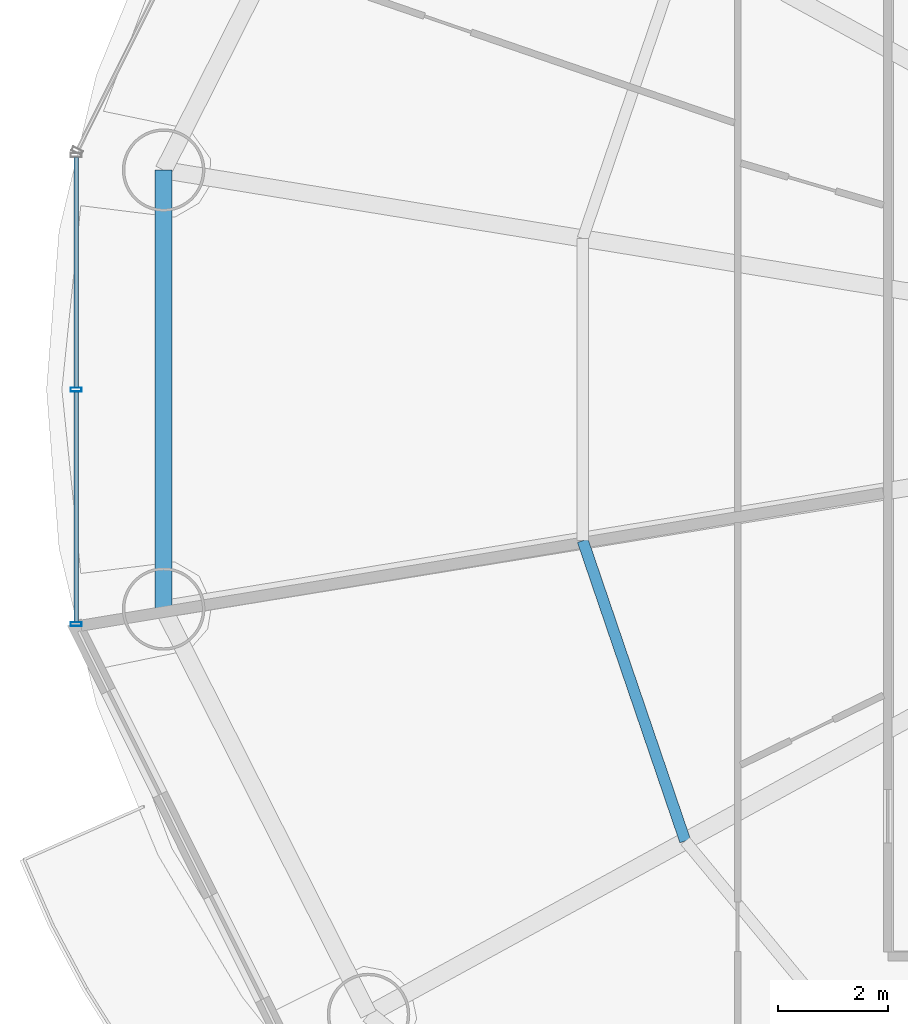
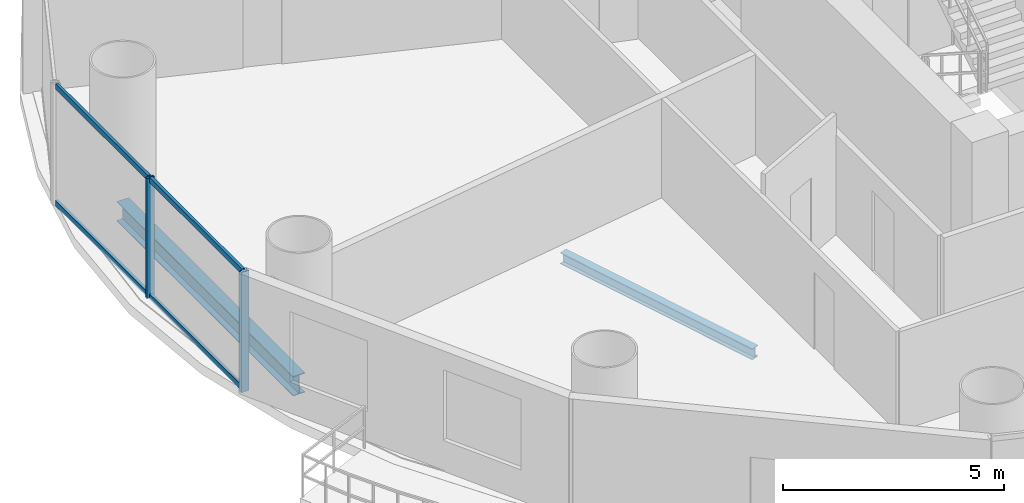
# One storey, part 7 of 29: 6 members, 2 beams, 1 element without a shape of its own.
"""IFC4 building model written with IfcOpenShell, lengths in metres."""

from ifc_helpers import new_model, si_unit, direction, frame, origin, origin_2d, place, context, subcontext, project, spatial, hollow_rectangle, i_section, extrude, source, transform, mapped, material, material_profile, profile_set, type_object, element, aggregate, save


model = new_model("IFC4")

# Units and contexts
model_context = context("Model", 3, precision=1e-05, world=origin(), true_north=direction((-0.2419218956, 0.970295726276)))
body_context = subcontext(model_context, "Body", "Model", "MODEL_VIEW")
ifc_project = project(units=[si_unit("LENGTHUNIT", "METRE"), si_unit("AREAUNIT", "SQUARE_METRE"), si_unit("VOLUMEUNIT", "CUBIC_METRE"), si_unit("PLANEANGLEUNIT", "RADIAN"), si_unit("MASSUNIT", "GRAM", prefix="KILO")], contexts=[model_context])

# Site, building, storey
site_placement = place(None, origin())
site = spatial("IfcSite", under=ifc_project, at=site_placement, CompositionType="ELEMENT")
building_placement = place(site_placement, origin())
building = spatial("IfcBuilding", under=site, at=building_placement, Name="Cobrevalo Terracotta Tower", CompositionType="ELEMENT")
storey_placement = place(building_placement, frame((0.0, 0.0, 83.39990234375)))
storey = spatial("IfcBuildingStorey", under=building, at=storey_placement, Name="L21", CompositionType="ELEMENT", Elevation=83.39990234375)

# Beams
ifc_material_1 = material(Name="Steel S355", Category="steel")
ifc_material_profile_1 = material_profile(ifc_material_1, i_section(OverallWidth=0.2041015625, OverallDepth=0.305908203125, WebThickness=0.008544921875, FlangeThickness=0.0146484375, at=origin_2d()), Name="W 310x67")
ifc_profile_set_1 = profile_set([ifc_material_profile_1], Name="Steel S355")
beam_type_1 = type_object("IfcBeamType", Name="Structural Joist W 310x67 (Steel S355)", PredefinedType="JOIST", material=ifc_profile_set_1)
beam_1_placement = place(storey_placement, frame((21.149658203125, 24.052734375, -0.427978515625), z_axis=(0.322846227919, -0.946451431991, 0.0), x_axis=(0.946451431991, 0.322846227919, 0.0)))
element("IfcBeam", 1, at=beam_1_placement, inside=storey, type_object=beam_type_1, Name="L21 circumferential secondary floor joist 09", PredefinedType="JOIST", context=body_context, shape_type="SweptSolid", body=[
    extrude(i_section(OverallWidth=0.2041015625, OverallDepth=0.305908203125, WebThickness=0.008544921875, FlangeThickness=0.0146484375, at=origin_2d()), origin(), (0.0, 0.0, 1.0), 5.77001953125),
])
ifc_material_profile_2 = material_profile(ifc_material_1, i_section(OverallWidth=0.31201171875, OverallDepth=0.54296875, WebThickness=0.0126953125, FlangeThickness=0.020263671875, at=origin_2d()), Name="W 530x150")
ifc_profile_set_2 = profile_set([ifc_material_profile_2], Name="Steel S355")
beam_type_2 = type_object("IfcBeamType", Name="Structural Spandrel W 530x150 (Steel S355)", PredefinedType="SPANDREL", material=ifc_profile_set_2)
beam_2_placement = place(storey_placement, frame((13.529296875, 30.78955078125, -0.54638671875), z_axis=(0.0, -1.0, 0.0), x_axis=(1.0, 0.0, 0.0)))
element("IfcBeam", 2, at=beam_2_placement, inside=storey, type_object=beam_type_2, Name="L21 perimeter ring spandrel 08", PredefinedType="SPANDREL", context=body_context, shape_type="SweptSolid", body=[
    extrude(i_section(OverallWidth=0.31201171875, OverallDepth=0.54296875, WebThickness=0.0126953125, FlangeThickness=0.020263671875, at=origin_2d()), origin(), (0.0, 0.0, 1.0), 7.979248046875),
])

# Curtain wall, members
ifc_material_2 = material(Name="Anodized aluminium", Category="aluminium")
curtain_wall_type = type_object("IfcCurtainWallType", Name="Lower-tower unitised acoustic low-E curtain wall CW-U1", PredefinedType="NOTDEFINED", material=ifc_material_2)
curtain_wall_placement = place(storey_placement, origin())
curtain_wall = element("IfcCurtainWall", 3, at=curtain_wall_placement, inside=storey, type_object=curtain_wall_type, Name="L21 curtain wall CW-L21-S08", PredefinedType="NOTDEFINED")
ifc_material_profile_3 = material_profile(ifc_material_2, hollow_rectangle(XDim=0.074951171875, YDim=0.14990234375, WallThickness=0.00439453125, at=origin_2d()), Name="CWT 75x150")
ifc_profile_set_3 = profile_set([ifc_material_profile_3], Name="Anodized aluminium")
member_type_1 = type_object("IfcMemberType", Name="Tower unitised aluminium transom 75x150", PredefinedType="USERDEFINED", material=ifc_profile_set_3)
shared_shape_1 = source(origin(), body_context, "Body", "SweptSolid", [
    extrude(hollow_rectangle(XDim=0.074951171875, YDim=0.14990234375, WallThickness=0.00439453125, at=origin_2d()), origin(), (0.0, 0.0, 1.0), 4.185546875),
])
member_1_placement = place(storey_placement, frame((11.9404296875, 31.025634765625, 0.050048828125), z_axis=(0.0, -1.0, 0.0), x_axis=(1.0, 0.0, 0.0)))
member_1 = element("IfcMember", 4, at=member_1_placement, type_object=member_type_1, Name="CW-L21-S08 transom B01-T1", ObjectType="TRANSOM", PredefinedType="USERDEFINED", context=body_context, shape_type="MappedRepresentation", body=[
    mapped(shared_shape_1, transform((0.0, 0.0, 0.0), scale=1.0)),
])
member_2_placement = place(storey_placement, frame((11.9404296875, 31.025634765625, 3.275146484375), z_axis=(0.0, -1.0, 0.0), x_axis=(1.0, 0.0, 0.0)))
member_2 = element("IfcMember", 5, at=member_2_placement, type_object=member_type_1, Name="CW-L21-S08 transom B01-T2", ObjectType="TRANSOM", PredefinedType="USERDEFINED", context=body_context, shape_type="MappedRepresentation", body=[
    mapped(shared_shape_1, transform((0.0, 0.0, 0.0), scale=1.0)),
])
member_3_placement = place(storey_placement, frame((11.9404296875, 26.760009765625, 0.050048828125), z_axis=(0.0, -1.0, 0.0), x_axis=(1.0, 0.0, 0.0)))
member_3 = element("IfcMember", 6, at=member_3_placement, type_object=member_type_1, Name="CW-L21-S08 transom B02-T1", ObjectType="TRANSOM", PredefinedType="USERDEFINED", context=body_context, shape_type="MappedRepresentation", body=[
    mapped(shared_shape_1, transform((0.0, 0.0, 0.0), scale=1.0)),
])
member_4_placement = place(storey_placement, frame((11.9404296875, 26.760009765625, 3.275146484375), z_axis=(0.0, -1.0, 0.0), x_axis=(1.0, 0.0, 0.0)))
member_4 = element("IfcMember", 7, at=member_4_placement, type_object=member_type_1, Name="CW-L21-S08 transom B02-T2", ObjectType="TRANSOM", PredefinedType="USERDEFINED", context=body_context, shape_type="MappedRepresentation", body=[
    mapped(shared_shape_1, transform((0.0, 0.0, 0.0), scale=1.0)),
])
ifc_material_profile_4 = material_profile(ifc_material_2, hollow_rectangle(XDim=0.074951171875, YDim=0.199951171875, WallThickness=0.0048828125, at=origin_2d()), Name="CWM 75x200")
ifc_profile_set_4 = profile_set([ifc_material_profile_4], Name="Anodized aluminium")
member_type_2 = type_object("IfcMemberType", Name="Lower/mid tower unitised mullion 75x200", PredefinedType="MULLION", material=ifc_profile_set_4)
shared_shape_2 = source(origin(), body_context, "Body", "SweptSolid", [
    extrude(hollow_rectangle(XDim=0.074951171875, YDim=0.199951171875, WallThickness=0.0048828125, at=origin_2d()), origin(), (0.0, 0.0, 1.0), 3.3251953125),
])
member_5_placement = place(storey_placement, frame((11.9404296875, 26.800048828125, 0.0), z_axis=(0.0, 0.0, 1.0), x_axis=(0.0, -1.0, 0.0)))
member_5 = element("IfcMember", 8, at=member_5_placement, type_object=member_type_2, Name="CW-L21-S08 vertical mullion 02", PredefinedType="MULLION", context=body_context, shape_type="MappedRepresentation", body=[
    mapped(shared_shape_2, transform((0.0, 0.0, 0.0), scale=1.0)),
])
member_6_placement = place(storey_placement, frame((11.9404296875, 22.534423828125, 0.0), z_axis=(0.0, 0.0, 1.0), x_axis=(0.0, -1.0, 0.0)))
member_6 = element("IfcMember", 9, at=member_6_placement, type_object=member_type_2, Name="CW-L21-S08 vertical mullion 03", PredefinedType="MULLION", context=body_context, shape_type="MappedRepresentation", body=[
    mapped(shared_shape_2, transform((0.0, 0.0, 0.0), scale=1.0)),
])
aggregate(curtain_wall, [member_5, member_6, member_1, member_2, member_3, member_4])

save(model, "model.ifc")
